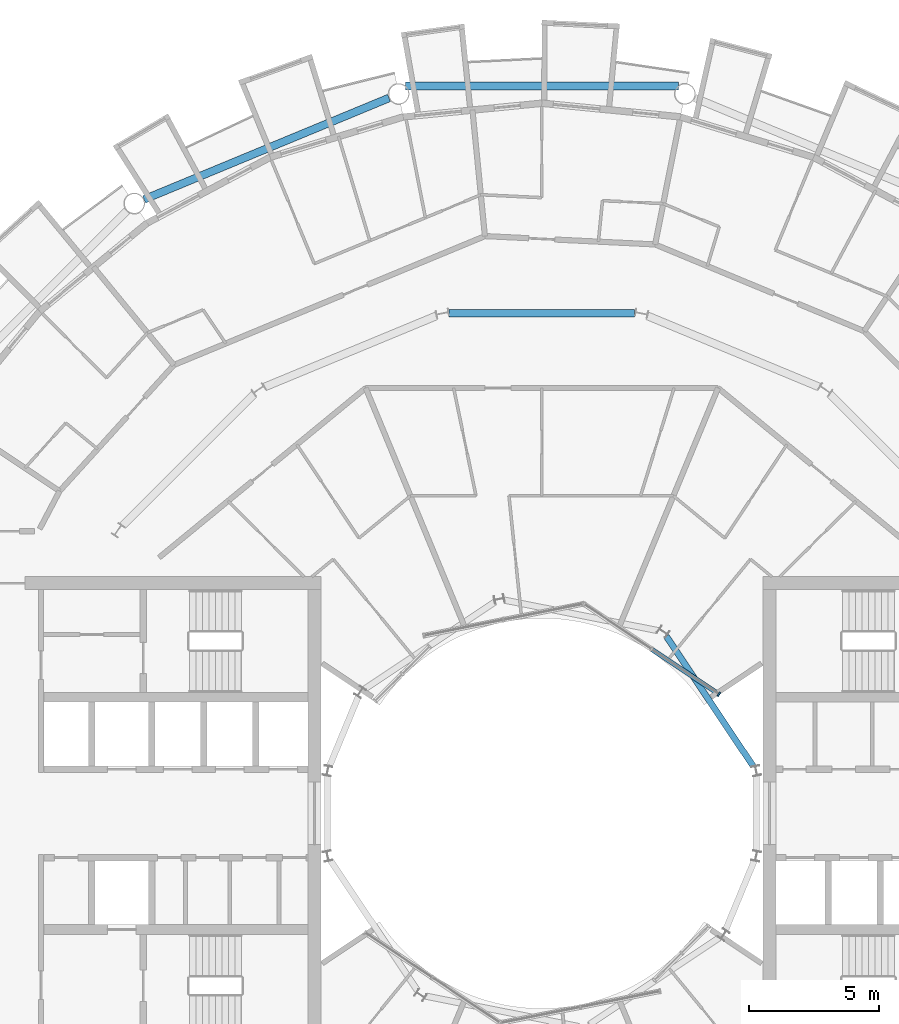
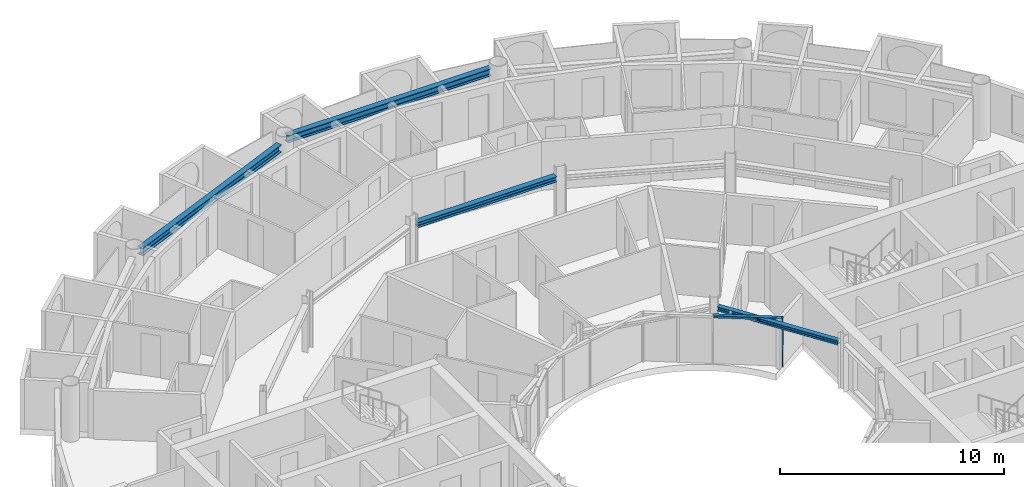
# One storey, part 9 of 26: 4 beams, 2 members, 1 element without a shape of its own.
"""IFC4 building model written with IfcOpenShell, lengths in metres."""

from ifc_helpers import new_model, si_unit, direction, frame, origin, origin_2d, place, context, subcontext, project, spatial, rectangle, i_section, extrude, material, layer, layer_set, material_profile, profile_set, type_object, element, aggregate, save


model = new_model("IFC4")

# Units and contexts
model_context = context("Model", 3, precision=1e-05, world=origin(), true_north=direction((0.0, 1.0)))
body_context = subcontext(model_context, "Body", "Model", "MODEL_VIEW")
ifc_project = project(units=[si_unit("LENGTHUNIT", "METRE"), si_unit("AREAUNIT", "SQUARE_METRE"), si_unit("VOLUMEUNIT", "CUBIC_METRE"), si_unit("PLANEANGLEUNIT", "RADIAN"), si_unit("MASSUNIT", "GRAM", prefix="KILO")], contexts=[model_context])

# Site, building, storey
site_placement = place(None, origin())
site = spatial("IfcSite", under=ifc_project, at=site_placement, CompositionType="ELEMENT")
building_placement = place(site_placement, origin())
building = spatial("IfcBuilding", under=site, at=building_placement, Name="Maasbend Ring Residences", CompositionType="ELEMENT")
storey_placement = place(building_placement, frame((0.0, 0.0, 176.85009765625)))
storey = spatial("IfcBuildingStorey", under=building, at=storey_placement, Name="L51", CompositionType="ELEMENT", Elevation=176.85009765625)

# Curtain wall, members
ifc_material_1 = material(Name="Aluminium and clear glass", Category="aluminium")
ifc_layer = layer(ifc_material_1, 0.179931640625)
ifc_layer_set = layer_set([ifc_layer], Name="CW-W")
curtain_wall_type = type_object("IfcCurtainWallType", Name="CW-W", PredefinedType="NOTDEFINED", material=ifc_layer_set)
curtain_wall_placement = place(storey_placement, origin())
curtain_wall = element("IfcCurtainWall", 1, at=curtain_wall_placement, inside=storey, type_object=curtain_wall_type, Name="Well curtain wall N1", PredefinedType="NOTDEFINED")
ifc_material_2 = material(Name="Aluminium 6063-T6", Category="aluminium")
ifc_material_profile_1 = material_profile(ifc_material_2, rectangle(XDim=0.179931640625, YDim=0.06005859375, at=origin_2d()), Name="AL 180x60")
ifc_profile_set_1 = profile_set([ifc_material_profile_1], Name="Aluminium 6063-T6")
member_type_1 = type_object("IfcMemberType", Name="CWM-W", PredefinedType="MULLION", material=ifc_profile_set_1)
member_1_placement = place(storey_placement, frame((6.805908203125, 4.580810546875, 0.0), z_axis=(0.0, 0.0, 1.0), x_axis=(-0.55557023302, -0.831469612303, 0.0)))
member_1 = element("IfcMember", 2, at=member_1_placement, type_object=member_type_1, Name="Mullion well face", PredefinedType="MULLION", context=body_context, shape_type="SweptSolid", body=[
    extrude(rectangle(XDim=0.179931640625, YDim=0.06005859375, at=origin_2d()), origin(), (0.0, 0.0, 1.0), 2.64990234375),
])
ifc_material_3 = material(Name="Aluminium 6063-T6", Category="aluminium")
ifc_material_profile_2 = material_profile(ifc_material_3, rectangle(XDim=0.179931640625, YDim=0.1201171875, at=origin_2d()), Name="AL 180x120")
ifc_profile_set_2 = profile_set([ifc_material_profile_2], Name="Aluminium 6063-T6")
member_type_2 = type_object("IfcMemberType", Name="CWT-W", PredefinedType="USERDEFINED", material=ifc_profile_set_2)
member_2_placement = place(storey_placement, frame((6.781005859375, 4.59765625, 2.58984375), z_axis=(-0.831496422459, 0.555530106689, 0.0), x_axis=(-0.555530106689, -0.831496422459, 0.0)))
member_2 = element("IfcMember", 3, at=member_2_placement, type_object=member_type_2, Name="Transom well face", ObjectType="TRANSOM", PredefinedType="USERDEFINED", context=body_context, shape_type="SweptSolid", body=[
    extrude(rectangle(XDim=0.179931640625, YDim=0.1201171875, at=origin_2d()), origin(), (0.0, 0.0, 1.0), 3.053955078125),
])
aggregate(curtain_wall, [member_1, member_2])

# Beams
ifc_material_4 = material(Name="Steel S355J2", Category="steel")
ifc_material_profile_3 = material_profile(ifc_material_4, i_section(OverallWidth=0.300048828125, OverallDepth=0.2900390625, WebThickness=0.008544921875, FlangeThickness=0.013916015625, FilletRadius=0.027099609375, at=origin_2d()), Name="HEA 300")
ifc_profile_set_3 = profile_set([ifc_material_profile_3], Name="Steel S355J2")
beam_type_1 = type_object("IfcBeamType", Name="Corridor ring beam HEA 300", PredefinedType="BEAM", material=ifc_profile_set_3)
beam_1_placement = place(storey_placement, frame((3.56884765625, 19.223388671875, 2.5048828125), z_axis=(-1.0, 0.0, 0.0), x_axis=(0.0, -1.0, 0.0)))
element("IfcBeam", 4, at=beam_1_placement, inside=storey, type_object=beam_type_1, Name="Corridor ring beam", PredefinedType="BEAM", context=body_context, shape_type="SweptSolid", body=[
    extrude(i_section(OverallWidth=0.300048828125, OverallDepth=0.2900390625, WebThickness=0.008544921875, FlangeThickness=0.013916015625, FilletRadius=0.027099609375, at=origin_2d()), origin(), (0.0, 0.0, 1.0), 7.1376953125),
])
ifc_material_5 = material(Name="Steel S355J2", Category="steel")
ifc_material_profile_4 = material_profile(ifc_material_5, i_section(OverallWidth=0.300048828125, OverallDepth=0.39990234375, WebThickness=0.013427734375, FlangeThickness=0.02392578125, FilletRadius=0.027099609375, at=origin_2d()), Name="HEB 400")
ifc_profile_set_4 = profile_set([ifc_material_profile_4], Name="Steel S355J2")
beam_type_2 = type_object("IfcBeamType", Name="Spandrel ring beam HEB 400", PredefinedType="SPANDREL", material=ifc_profile_set_4)
beam_2_placement = place(storey_placement, frame((5.2451171875, 27.9580078125, 2.449951171875), z_axis=(-1.0, 0.0, 0.0), x_axis=(0.0, -1.0, 0.0)))
element("IfcBeam", 5, at=beam_2_placement, inside=storey, type_object=beam_type_2, Name="Spandrel ring beam", PredefinedType="SPANDREL", context=body_context, shape_type="SweptSolid", body=[
    extrude(i_section(OverallWidth=0.300048828125, OverallDepth=0.39990234375, WebThickness=0.013427734375, FlangeThickness=0.02392578125, FilletRadius=0.027099609375, at=origin_2d()), origin(), (0.0, 0.0, 1.0), 10.490234375),
])
beam_3_placement = place(storey_placement, frame((-5.877197265625, 27.50244140625, 2.449951171875), z_axis=(-0.923883676188, -0.382673428492, 0.0), x_axis=(0.382673428492, -0.923883676188, 0.0)))
element("IfcBeam", 6, at=beam_3_placement, inside=storey, type_object=beam_type_2, Name="Spandrel ring beam", PredefinedType="SPANDREL", context=body_context, shape_type="SweptSolid", body=[
    extrude(i_section(OverallWidth=0.300048828125, OverallDepth=0.39990234375, WebThickness=0.013427734375, FlangeThickness=0.02392578125, FilletRadius=0.027099609375, at=origin_2d()), origin(), (0.0, 0.0, 1.0), 10.18994140625),
])
ifc_material_6 = material(Name="Steel S355J2", Category="steel")
ifc_material_profile_5 = material_profile(ifc_material_6, i_section(OverallWidth=0.239990234375, OverallDepth=0.22998046875, WebThickness=0.007568359375, FlangeThickness=0.011962890625, FilletRadius=0.02099609375, at=origin_2d()), Name="HEA 240")
ifc_profile_set_5 = profile_set([ifc_material_profile_5], Name="Steel S355J2")
beam_type_3 = type_object("IfcBeamType", Name="Well edge beam HEA 240", PredefinedType="BEAM", material=ifc_profile_set_5)
beam_4_placement = place(storey_placement, frame((8.121337890625, 1.814208984375, 2.534912109375), z_axis=(-0.555553413909, 0.831480850227, 0.0), x_axis=(-0.831480850227, -0.555553413909, 0.0)))
element("IfcBeam", 7, at=beam_4_placement, inside=storey, type_object=beam_type_3, Name="Well edge beam", PredefinedType="BEAM", context=body_context, shape_type="SweptSolid", body=[
    extrude(i_section(OverallWidth=0.239990234375, OverallDepth=0.22998046875, WebThickness=0.007568359375, FlangeThickness=0.011962890625, FilletRadius=0.02099609375, at=origin_2d()), origin(), (0.0, 0.0, 1.0), 6.0068359375),
])

save(model, "model.ifc")
